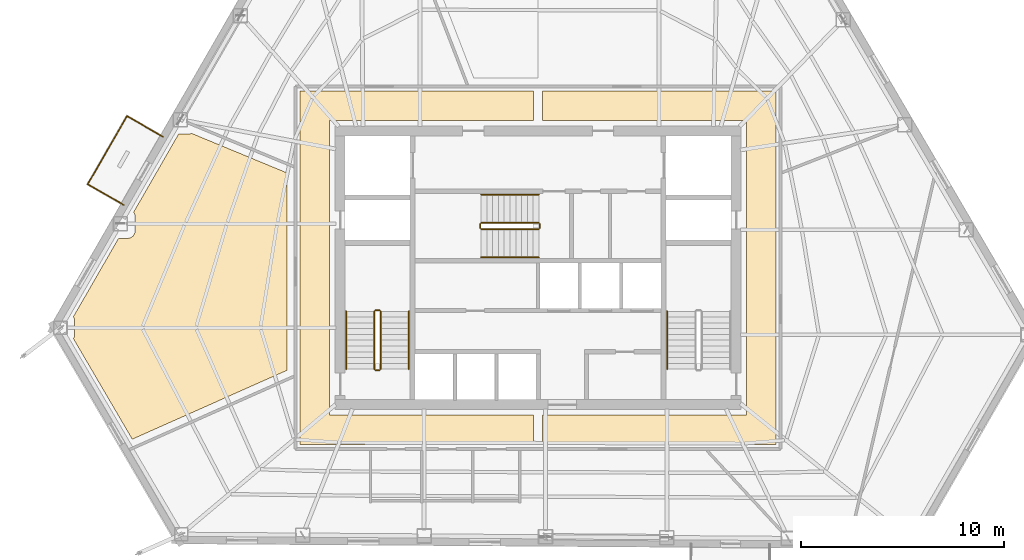
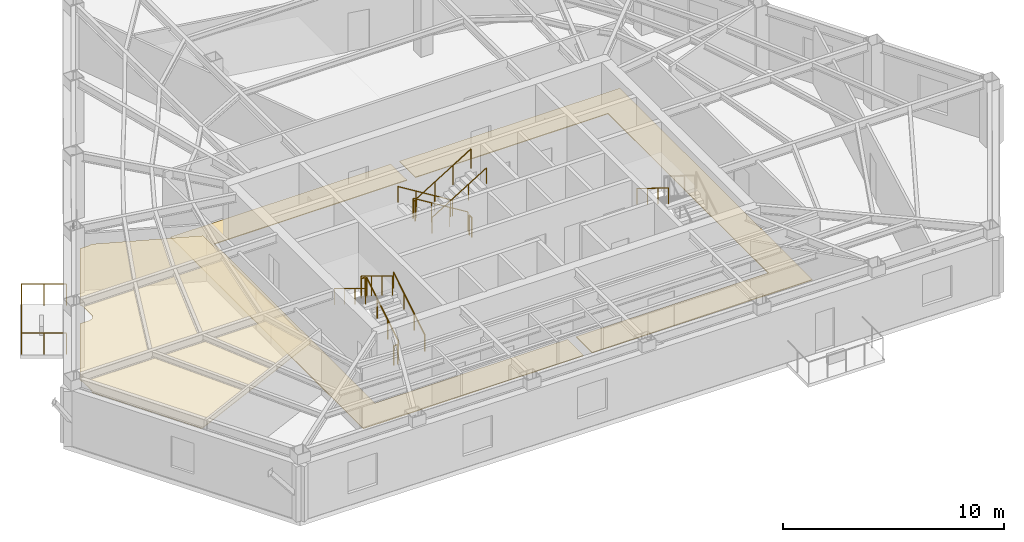
# One storey, part 11 of 12: 16 railings, 3 coverings.
"""IFC4 building model written with IfcOpenShell, lengths in metres."""

from ifc_helpers import new_model, si_unit, direction, frame, origin, origin_2d, place, context, subcontext, project, spatial, polyline, circle, outline, extrude, material, layer, layer_set, type_object, element, save


model = new_model("IFC4")

# Units and contexts
model_context = context("Model", 3, precision=1e-05, world=origin(), true_north=direction((0.0, 1.0)))
body_context = subcontext(model_context, "Body", "Model", "MODEL_VIEW")
ifc_project = project(units=[si_unit("LENGTHUNIT", "METRE"), si_unit("AREAUNIT", "SQUARE_METRE"), si_unit("VOLUMEUNIT", "CUBIC_METRE"), si_unit("PLANEANGLEUNIT", "RADIAN"), si_unit("MASSUNIT", "GRAM", prefix="KILO")], contexts=[model_context])

# Site, building, storey
site_placement = place(None, origin())
site = spatial("IfcSite", under=ifc_project, at=site_placement, CompositionType="ELEMENT")
building_placement = place(site_placement, origin())
building = spatial("IfcBuilding", under=site, at=building_placement, Name="Kavelnor Concourse Tower", CompositionType="ELEMENT")
storey_placement = place(building_placement, frame((0.0, 0.0, 120.14990234375)))
storey = spatial("IfcBuildingStorey", under=building, at=storey_placement, Name="L30", CompositionType="ELEMENT", Elevation=120.14990234375)

# Coverings
ifc_material_1 = material(Name="Mineral fibre acoustic ceiling tile")
ifc_layer_1 = layer(ifc_material_1, 0.0400390625, Name="Mineral fibre acoustic ceiling tile")
ifc_layer_set_1 = layer_set([ifc_layer_1], Name="Mineral fibre acoustic ceiling tile")
covering_type_1 = type_object("IfcCoveringType", Name="COV-CEILING-ACOUSTIC", PredefinedType="CEILING", material=ifc_layer_set_1)
covering_1_placement = place(storey_placement, frame((0.0, 0.0, 2.75)))
element("IfcCovering", 1, at=covering_1_placement, inside=storey, type_object=covering_type_1, Name="L30 Suspended Acoustic Ceiling", PredefinedType="CEILING", context=body_context, shape_type="SweptSolid", body=[
    extrude(outline(polyline([(17.30419921875, 17.55224609375), (17.76416015625, 17.55224609375), (17.791259765625, 17.553466796875), (17.826171875, 17.55859375), (17.860595703125, 17.5673828125), (17.893798828125, 17.5791015625), (17.92578125, 17.59423828125), (17.9560546875, 17.612548828125), (17.984619140625, 17.633544921875), (18.0107421875, 17.657470703125), (18.034423828125, 17.68359375), (18.0556640625, 17.7119140625), (18.07373046875, 17.7421875), (18.0888671875, 17.7744140625), (18.100830078125, 17.8076171875), (18.109375, 17.841796875), (18.114501953125, 17.876953125), (18.115966796875, 17.90380859375), (18.115966796875, 18.640380859375), (18.114501953125, 18.66748046875), (18.109375, 18.702392578125), (18.100830078125, 18.73681640625), (18.0888671875, 18.77001953125), (18.07373046875, 18.802001953125), (18.0556640625, 18.83251953125), (18.0478515625, 18.843017578125), (20.26171875, 22.6865234375), (20.7216796875, 22.6865234375), (20.748779296875, 22.687744140625), (20.78369140625, 22.693115234375), (20.818115234375, 22.70166015625), (20.851318359375, 22.71337890625), (20.88330078125, 22.728515625), (20.892578125, 22.734130859375), (25.607421875, 20.781982421875), (25.607421875, 11.036865234375), (17.980224609375, 7.640869140625), (15.07861328125, 12.5986328125), (15.09619140625, 12.628173828125), (15.111328125, 12.66015625), (15.123291015625, 12.693359375), (15.1318359375, 12.727783203125), (15.13720703125, 12.7626953125), (15.138427734375, 12.789794921875), (15.138427734375, 13.486328125), (15.13720703125, 13.51318359375), (15.1318359375, 13.54833984375), (15.123291015625, 13.58251953125), (15.111328125, 13.615966796875), (15.09619140625, 13.64794921875), (15.078125, 13.67822265625), (15.0751953125, 13.682373046875), (17.30419921875, 17.55224609375)])), origin(), (0.0, 0.0, 1.0), 0.0400390625),
])
ifc_material_2 = material(Name="Honed bluestone and raised access floor finish", Category="masonry")
ifc_layer_2 = layer(ifc_material_2, 0.0400390625, Name="Honed bluestone and raised access floor finish")
ifc_layer_set_2 = layer_set([ifc_layer_2], Name="Honed bluestone and raised access floor finish")
covering_type_2 = type_object("IfcCoveringType", Name="COV-FLOOR-STONE", PredefinedType="FLOORING", material=ifc_layer_set_2)
covering_2_placement = place(storey_placement, frame((0.0, 0.0, 0.002197265625)))
element("IfcCovering", 2, at=covering_2_placement, inside=storey, type_object=covering_type_2, Name="L30 Honed Bluestone Floor Finish", PredefinedType="FLOORING", context=body_context, shape_type="SweptSolid", body=[
    extrude(outline(polyline([(26.25, 7.3701171875), (26.25, 24.830078125), (37.77490234375, 24.830078125), (37.77490234375, 23.3701171875), (27.7099609375, 23.3701171875), (27.7099609375, 8.830078125), (37.77490234375, 8.830078125), (37.77490234375, 7.3701171875), (26.25, 7.3701171875)])), origin(), (0.0, 0.0, 1.0), 0.039794921875),
])
covering_3_placement = place(storey_placement, frame((0.0, 0.0, 0.002197265625)))
element("IfcCovering", 3, at=covering_3_placement, inside=storey, type_object=covering_type_2, Name="L30 Honed Bluestone Floor Finish", PredefinedType="FLOORING", context=body_context, shape_type="SweptSolid", body=[
    extrude(outline(polyline([(49.75, 7.3701171875), (38.22509765625, 7.3701171875), (38.22509765625, 8.830078125), (48.2900390625, 8.830078125), (48.2900390625, 23.3701171875), (38.22509765625, 23.3701171875), (38.22509765625, 24.830078125), (49.75, 24.830078125), (49.75, 7.3701171875)])), origin(), (0.0, 0.0, 1.0), 0.039794921875),
])

# Railings
ifc_material_3 = material(Name="Steel Grade 350", Category="steel")
railing_type_1 = type_object("IfcRailingType", Name="RLG-GUARD-1100", PredefinedType="GUARDRAIL", material=ifc_material_3)
railing_1_placement = place(storey_placement, frame((30.22998046875, 11.10009765625, 0.175048828125)))
element("IfcRailing", 4, at=railing_1_placement, inside=storey, type_object=railing_type_1, Name="L30 ST1 stair guard 1", PredefinedType="GUARDRAIL", context=body_context, shape_type="SweptSolid", body=[
    extrude(circle(Radius=0.02392578125, at=origin_2d()), frame((0.0, 0.0, 1.076171875), z_axis=(0.0, 0.852159232446, 0.523282564737), x_axis=(-1.0, 0.0, 0.0)), (0.0, 0.0, 1.0), 3.34423828125),
    extrude(circle(Radius=0.02099609375, at=origin_2d()), origin(), (0.0, 0.0, 1.0), 1.052001953125),
    extrude(circle(Radius=0.02099609375, at=origin_2d()), frame((0.0, 0.949951171875, 0.583251953125)), (0.0, 0.0, 1.0), 1.052001953125),
    extrude(circle(Radius=0.02099609375, at=origin_2d()), frame((0.0, 1.89990234375, 1.166748046875)), (0.0, 0.0, 1.0), 1.052001953125),
    extrude(circle(Radius=0.02099609375, at=origin_2d()), frame((0.0, 2.849853515625, 1.75)), (0.0, 0.0, 1.0), 1.052001953125),
])
railing_2_placement = place(storey_placement, frame((30.179931640625, 14.0, 1.925048828125)))
element("IfcRailing", 5, at=railing_2_placement, inside=storey, type_object=railing_type_1, Name="L30 ST1 stair guard 2", PredefinedType="GUARDRAIL", context=body_context, shape_type="SweptSolid", body=[
    extrude(circle(Radius=0.02392578125, at=origin_2d()), frame((0.0, 0.0, 1.076171875), z_axis=(-1.0, 0.0, 0.0), x_axis=(0.0, -1.0, 0.0)), (0.0, 0.0, 1.0), 0.199951171875),
    extrude(circle(Radius=0.02099609375, at=origin_2d()), origin(), (0.0, 0.0, 1.0), 1.052001953125),
    extrude(circle(Radius=0.02099609375, at=origin_2d()), frame((-0.199951171875, 0.0, 0.0)), (0.0, 0.0, 1.0), 1.052001953125),
])
railing_3_placement = place(storey_placement, frame((29.929931640625, 13.949951171875, 2.10009765625)))
element("IfcRailing", 6, at=railing_3_placement, inside=storey, type_object=railing_type_1, Name="L30 ST1 stair guard 3", PredefinedType="GUARDRAIL", context=body_context, shape_type="SweptSolid", body=[
    extrude(circle(Radius=0.02392578125, at=origin_2d()), frame((0.0, 0.0, 1.076171875), z_axis=(0.0, -0.852159232446, 0.523282564737), x_axis=(1.0, 0.0, 0.0)), (0.0, 0.0, 1.0), 3.34423828125),
    extrude(circle(Radius=0.02099609375, at=origin_2d()), origin(), (0.0, 0.0, 1.0), 1.052001953125),
    extrude(circle(Radius=0.02099609375, at=origin_2d()), frame((0.0, -0.949951171875, 0.583251953125)), (0.0, 0.0, 1.0), 1.052001953125),
    extrude(circle(Radius=0.02099609375, at=origin_2d()), frame((0.0, -1.89990234375, 1.166748046875)), (0.0, 0.0, 1.0), 1.052001953125),
    extrude(circle(Radius=0.02099609375, at=origin_2d()), frame((0.0, -2.849853515625, 1.75)), (0.0, 0.0, 1.0), 1.052001953125),
])
railing_4_placement = place(storey_placement, frame((30.179931640625, 11.050048828125, 0.0)))
element("IfcRailing", 7, at=railing_4_placement, inside=storey, type_object=railing_type_1, Name="L30 ST1 stair guard 4", PredefinedType="GUARDRAIL", context=body_context, shape_type="SweptSolid", body=[
    extrude(circle(Radius=0.02392578125, at=origin_2d()), frame((0.0, 0.0, 1.076171875), z_axis=(-1.0, 0.0, 0.0), x_axis=(0.0, -1.0, 0.0)), (0.0, 0.0, 1.0), 0.199951171875),
    extrude(circle(Radius=0.02099609375, at=origin_2d()), origin(), (0.0, 0.0, 1.0), 1.052001953125),
    extrude(circle(Radius=0.02099609375, at=origin_2d()), frame((-0.199951171875, 0.0, 0.0)), (0.0, 0.0, 1.0), 1.052001953125),
])
railing_5_placement = place(storey_placement, frame((38.0400390625, 18.31005859375, 0.175048828125)))
element("IfcRailing", 8, at=railing_5_placement, inside=storey, type_object=railing_type_1, Name="L30 ST3 stair guard 1", PredefinedType="GUARDRAIL", context=body_context, shape_type="SweptSolid", body=[
    extrude(circle(Radius=0.02392578125, at=origin_2d()), frame((0.0, 0.0, 1.076171875), z_axis=(-0.852179220489, 0.0, 0.52325001306), x_axis=(0.0, -1.0, 0.0)), (0.0, 0.0, 1.0), 3.344482421875),
    extrude(circle(Radius=0.02099609375, at=origin_2d()), origin(), (0.0, 0.0, 1.0), 1.052001953125),
    extrude(circle(Radius=0.02099609375, at=origin_2d()), frame((-0.949951171875, 0.0, 0.583251953125)), (0.0, 0.0, 1.0), 1.052001953125),
    extrude(circle(Radius=0.02099609375, at=origin_2d()), frame((-1.900146484375, 0.0, 1.166748046875)), (0.0, 0.0, 1.0), 1.052001953125),
    extrude(circle(Radius=0.02099609375, at=origin_2d()), frame((-2.85009765625, 0.0, 1.75)), (0.0, 0.0, 1.0), 1.052001953125),
])
railing_6_placement = place(storey_placement, frame((35.139892578125, 18.260009765625, 1.925048828125)))
element("IfcRailing", 9, at=railing_6_placement, inside=storey, type_object=railing_type_1, Name="L30 ST3 stair guard 2", PredefinedType="GUARDRAIL", context=body_context, shape_type="SweptSolid", body=[
    extrude(circle(Radius=0.02392578125, at=origin_2d()), frame((0.0, 0.0, 1.076171875), z_axis=(0.0, -1.0, 0.0), x_axis=(1.0, 0.0, 0.0)), (0.0, 0.0, 1.0), 0.199951171875),
    extrude(circle(Radius=0.02099609375, at=origin_2d()), origin(), (0.0, 0.0, 1.0), 1.052001953125),
    extrude(circle(Radius=0.02099609375, at=origin_2d()), frame((0.0, -0.199951171875, 0.0)), (0.0, 0.0, 1.0), 1.052001953125),
])
railing_7_placement = place(storey_placement, frame((35.18994140625, 18.010009765625, 2.10009765625)))
element("IfcRailing", 10, at=railing_7_placement, inside=storey, type_object=railing_type_1, Name="L30 ST3 stair guard 3", PredefinedType="GUARDRAIL", context=body_context, shape_type="SweptSolid", body=[
    extrude(circle(Radius=0.02392578125, at=origin_2d()), frame((0.0, 0.0, 1.076171875), z_axis=(0.852179220489, 0.0, 0.52325001306), x_axis=(0.0, 1.0, 0.0)), (0.0, 0.0, 1.0), 3.344482421875),
    extrude(circle(Radius=0.02099609375, at=origin_2d()), origin(), (0.0, 0.0, 1.0), 1.052001953125),
    extrude(circle(Radius=0.02099609375, at=origin_2d()), frame((0.949951171875, 0.0, 0.583251953125)), (0.0, 0.0, 1.0), 1.052001953125),
    extrude(circle(Radius=0.02099609375, at=origin_2d()), frame((1.900146484375, 0.0, 1.166748046875)), (0.0, 0.0, 1.0), 1.052001953125),
    extrude(circle(Radius=0.02099609375, at=origin_2d()), frame((2.85009765625, 0.0, 1.75)), (0.0, 0.0, 1.0), 1.052001953125),
])
railing_8_placement = place(storey_placement, frame((38.090087890625, 18.260009765625, 0.0)))
element("IfcRailing", 11, at=railing_8_placement, inside=storey, type_object=railing_type_1, Name="L30 ST3 stair guard 4", PredefinedType="GUARDRAIL", context=body_context, shape_type="SweptSolid", body=[
    extrude(circle(Radius=0.02392578125, at=origin_2d()), frame((0.0, 0.0, 1.076171875), z_axis=(0.0, -1.0, 0.0), x_axis=(1.0, 0.0, 0.0)), (0.0, 0.0, 1.0), 0.199951171875),
    extrude(circle(Radius=0.02099609375, at=origin_2d()), origin(), (0.0, 0.0, 1.0), 1.052001953125),
    extrude(circle(Radius=0.02099609375, at=origin_2d()), frame((0.0, -0.199951171875, 0.0)), (0.0, 0.0, 1.0), 1.052001953125),
])
railing_type_2 = type_object("IfcRailingType", Name="RLG-HANDRAIL-900", PredefinedType="HANDRAIL", material=ifc_material_3)
railing_9_placement = place(storey_placement, frame((31.6298828125, 11.10009765625, 0.175048828125)))
element("IfcRailing", 12, at=railing_9_placement, inside=storey, type_object=railing_type_2, Name="L30 ST1 stair handrail 1", PredefinedType="HANDRAIL", context=body_context, shape_type="SweptSolid", body=[
    extrude(circle(Radius=0.02392578125, at=origin_2d()), frame((0.0, 0.0, 0.8759765625), z_axis=(0.0, 0.852159232446, 0.523282564737), x_axis=(-1.0, 0.0, 0.0)), (0.0, 0.0, 1.0), 3.34423828125),
    extrude(circle(Radius=0.02099609375, at=origin_2d()), origin(), (0.0, 0.0, 1.0), 0.851806640625),
    extrude(circle(Radius=0.02099609375, at=origin_2d()), frame((0.0, 0.949951171875, 0.583251953125)), (0.0, 0.0, 1.0), 0.851806640625),
    extrude(circle(Radius=0.02099609375, at=origin_2d()), frame((0.0, 1.89990234375, 1.166748046875)), (0.0, 0.0, 1.0), 0.851806640625),
    extrude(circle(Radius=0.02099609375, at=origin_2d()), frame((0.0, 2.849853515625, 1.75)), (0.0, 0.0, 1.0), 0.851806640625),
])
for number, where, name in (
    (13, (28.530029296875, 13.949951171875, 2.10009765625), "L30 ST1 stair handrail 2"),
    (14, (44.3701171875, 13.949951171875, 2.10009765625), "L30 ST2 stair handrail 2"),
):
    element("IfcRailing", number, at=place(storey_placement, frame(where)), inside=storey, type_object=railing_type_2, Name=name, PredefinedType="HANDRAIL", context=body_context, shape_type="SweptSolid", body=[
        extrude(circle(Radius=0.02392578125, at=origin_2d()), frame((0.0, 0.0, 0.8759765625), z_axis=(0.0, -0.852159232446, 0.523282564737), x_axis=(1.0, 0.0, 0.0)), (0.0, 0.0, 1.0), 3.34423828125),
        extrude(circle(Radius=0.02099609375, at=origin_2d()), origin(), (0.0, 0.0, 1.0), 0.851806640625),
        extrude(circle(Radius=0.02099609375, at=origin_2d()), frame((0.0, -0.949951171875, 0.583251953125)), (0.0, 0.0, 1.0), 0.851806640625),
        extrude(circle(Radius=0.02099609375, at=origin_2d()), frame((0.0, -1.89990234375, 1.166748046875)), (0.0, 0.0, 1.0), 0.851806640625),
        extrude(circle(Radius=0.02099609375, at=origin_2d()), frame((0.0, -2.849853515625, 1.75)), (0.0, 0.0, 1.0), 0.851806640625),
    ])
railing_10_placement = place(storey_placement, frame((38.0400390625, 19.7099609375, 0.175048828125)))
element("IfcRailing", 15, at=railing_10_placement, inside=storey, type_object=railing_type_2, Name="L30 ST3 stair handrail 1", PredefinedType="HANDRAIL", context=body_context, shape_type="SweptSolid", body=[
    extrude(circle(Radius=0.02392578125, at=origin_2d()), frame((0.0, 0.0, 0.8759765625), z_axis=(-0.852179220489, 0.0, 0.52325001306), x_axis=(0.0, -1.0, 0.0)), (0.0, 0.0, 1.0), 3.344482421875),
    extrude(circle(Radius=0.02099609375, at=origin_2d()), origin(), (0.0, 0.0, 1.0), 0.851806640625),
    extrude(circle(Radius=0.02099609375, at=origin_2d()), frame((-0.949951171875, 0.0, 0.583251953125)), (0.0, 0.0, 1.0), 0.851806640625),
    extrude(circle(Radius=0.02099609375, at=origin_2d()), frame((-1.900146484375, 0.0, 1.166748046875)), (0.0, 0.0, 1.0), 0.851806640625),
    extrude(circle(Radius=0.02099609375, at=origin_2d()), frame((-2.85009765625, 0.0, 1.75)), (0.0, 0.0, 1.0), 0.851806640625),
])
railing_11_placement = place(storey_placement, frame((35.18994140625, 16.610107421875, 2.10009765625)))
element("IfcRailing", 16, at=railing_11_placement, inside=storey, type_object=railing_type_2, Name="L30 ST3 stair handrail 2", PredefinedType="HANDRAIL", context=body_context, shape_type="SweptSolid", body=[
    extrude(circle(Radius=0.02392578125, at=origin_2d()), frame((0.0, 0.0, 0.8759765625), z_axis=(0.852179220489, 0.0, 0.52325001306), x_axis=(0.0, 1.0, 0.0)), (0.0, 0.0, 1.0), 3.344482421875),
    extrude(circle(Radius=0.02099609375, at=origin_2d()), origin(), (0.0, 0.0, 1.0), 0.851806640625),
    extrude(circle(Radius=0.02099609375, at=origin_2d()), frame((0.949951171875, 0.0, 0.583251953125)), (0.0, 0.0, 1.0), 0.851806640625),
    extrude(circle(Radius=0.02099609375, at=origin_2d()), frame((1.900146484375, 0.0, 1.166748046875)), (0.0, 0.0, 1.0), 0.851806640625),
    extrude(circle(Radius=0.02099609375, at=origin_2d()), frame((2.85009765625, 0.0, 1.75)), (0.0, 0.0, 1.0), 0.851806640625),
])
ifc_material_4 = material(Name="Architectural bronze-anodised aluminium", Category="aluminium")
railing_type_3 = type_object("IfcRailingType", Name="RLG-TERRACE-1200", PredefinedType="BALUSTRADE", material=ifc_material_4)
railing_12_placement = place(storey_placement, frame((19.496337890625, 22.5595703125, 0.0)))
element("IfcRailing", 17, at=railing_12_placement, inside=storey, type_object=railing_type_3, Name="L30 Tree Balcony 1 Guardrail L", PredefinedType="BALUSTRADE", context=body_context, shape_type="SweptSolid", body=[
    extrude(circle(Radius=0.02392578125, at=origin_2d()), frame((0.0, 0.0, 1.17578125), z_axis=(-0.866478859266, 0.499213768285, 0.0), x_axis=(-0.499213768285, -0.866478859266, 0.0)), (0.0, 0.0, 1.0), 2.050048828125),
    extrude(circle(Radius=0.02099609375, at=origin_2d()), origin(), (0.0, 0.0, 1.0), 1.15185546875),
    extrude(circle(Radius=0.02099609375, at=origin_2d()), frame((-0.88818359375, 0.51171875, 0.0)), (0.0, 0.0, 1.0), 1.15185546875),
    extrude(circle(Radius=0.02099609375, at=origin_2d()), frame((-1.7763671875, 1.0234375, 0.0)), (0.0, 0.0, 1.0), 1.15185546875),
])
railing_13_placement = place(storey_placement, frame((17.719970703125, 23.5830078125, 0.0)))
element("IfcRailing", 18, at=railing_13_placement, inside=storey, type_object=railing_type_3, Name="L30 Tree Balcony 1 Guardrail F", PredefinedType="BALUSTRADE", context=body_context, shape_type="SweptSolid", body=[
    extrude(circle(Radius=0.02392578125, at=origin_2d()), frame((0.0, 0.0, 1.17578125), z_axis=(-0.499137701245, -0.866522680139, 0.0), x_axis=(0.866522680139, -0.499137701245, 0.0)), (0.0, 0.0, 1.0), 3.880126953125),
    extrude(circle(Radius=0.02099609375, at=origin_2d()), origin(), (0.0, 0.0, 1.0), 1.15185546875),
    extrude(circle(Radius=0.02099609375, at=origin_2d()), frame((-0.484130859375, -0.840576171875, 0.0)), (0.0, 0.0, 1.0), 1.15185546875),
    extrude(circle(Radius=0.02099609375, at=origin_2d()), frame((-0.96826171875, -1.68115234375, 0.0)), (0.0, 0.0, 1.0), 1.15185546875),
    extrude(circle(Radius=0.02099609375, at=origin_2d()), frame((-1.45263671875, -2.521728515625, 0.0)), (0.0, 0.0, 1.0), 1.15185546875),
    extrude(circle(Radius=0.02099609375, at=origin_2d()), frame((-1.936767578125, -3.3623046875, 0.0)), (0.0, 0.0, 1.0), 1.15185546875),
])
railing_14_placement = place(storey_placement, frame((15.783203125, 20.220703125, 0.0)))
element("IfcRailing", 19, at=railing_14_placement, inside=storey, type_object=railing_type_3, Name="L30 Tree Balcony 1 Guardrail R", PredefinedType="BALUSTRADE", context=body_context, shape_type="SweptSolid", body=[
    extrude(circle(Radius=0.02392578125, at=origin_2d()), frame((0.0, 0.0, 1.17578125), z_axis=(0.86653036988, -0.499124351315, 0.0), x_axis=(0.499124351315, 0.86653036988, 0.0)), (0.0, 0.0, 1.0), 2.050048828125),
    extrude(circle(Radius=0.02099609375, at=origin_2d()), origin(), (0.0, 0.0, 1.0), 1.15185546875),
    extrude(circle(Radius=0.02099609375, at=origin_2d()), frame((0.88818359375, -0.51171875, 0.0)), (0.0, 0.0, 1.0), 1.15185546875),
    extrude(circle(Radius=0.02099609375, at=origin_2d()), frame((1.7763671875, -1.023193359375, 0.0)), (0.0, 0.0, 1.0), 1.15185546875),
])

save(model, "model.ifc")
